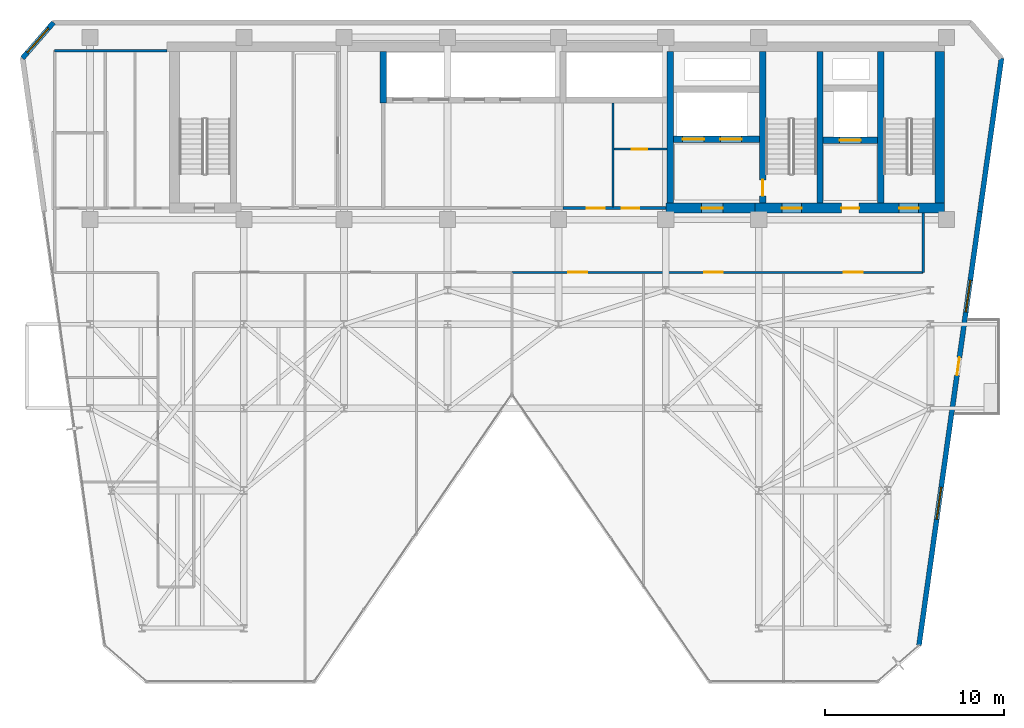
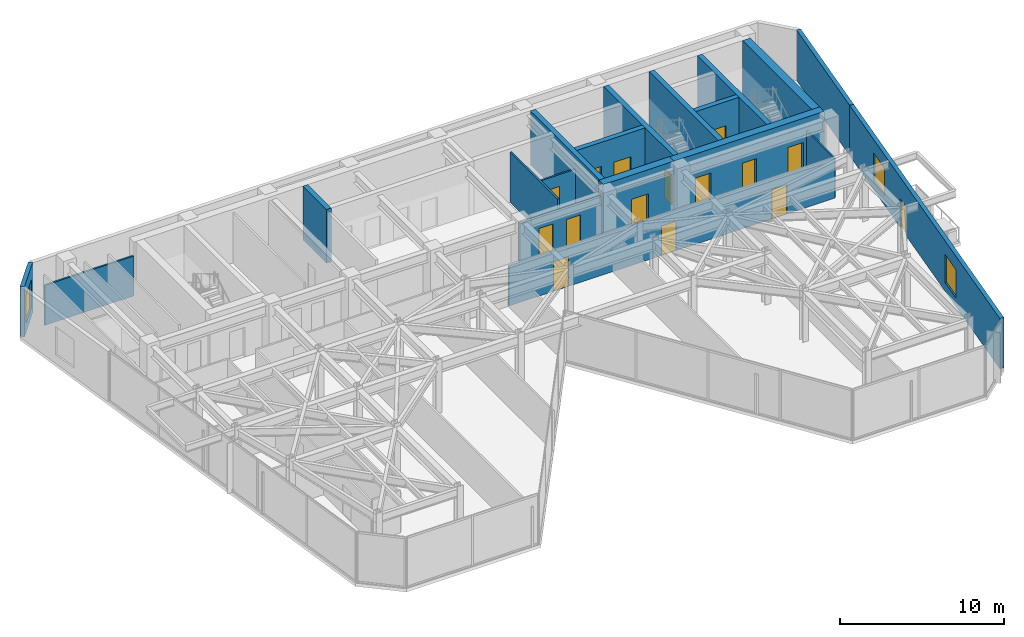
# One storey, part 23 of 27: 19 walls, 15 doors, 3 windows, 18 openings.
"""IFC4 building model written with IfcOpenShell, lengths in metres."""

import ifcopenshell
import ifcopenshell.guid

model = None  # the IFC model being written
_history = None  # IfcOwnerHistory: only IFC2X3 demands one
_inside = {}  # id of a spatial element -> (the spatial element, [elements in it])
_under = {}  # id of a project, library or spatial element -> (it, [spatial elements below it])
_declared = {}  # id of a project -> (the project, [libraries it declares])
_typed = {}  # id of a type object -> (the type object, [elements of that type])
_made_of = {}  # id of a material, layer set ... -> (it, [elements and type objects made of it])


def new_model(schema):
    """Start an empty IFC model of exactly this schema.

    Asked for "IFC4X3", IfcOpenShell would pick the latest addendum, in which some entities
    have other attributes; the version numbers below select the first issue.
    IFC2X3 requires an IfcOwnerHistory on every rooted entity: one is made here for all.
    """
    global model, _history
    if schema == "IFC4X3":
        model = ifcopenshell.file(schema_version=(4, 3, 0, 0))
    else:
        model = ifcopenshell.file(schema=schema)
    _inside.clear()
    _under.clear()
    _declared.clear()
    _typed.clear()
    _made_of.clear()
    _history = None
    if model.schema == "IFC2X3":
        org = make("IfcOrganization", Name="unknown")
        user = make(
            "IfcPersonAndOrganization",
            ThePerson=make("IfcPerson", FamilyName="unknown"),
            TheOrganization=org,
        )
        app = make(
            "IfcApplication",
            ApplicationDeveloper=org,
            Version="unknown",
            ApplicationFullName="unknown",
            ApplicationIdentifier="unknown",
        )
        _history = make(
            "IfcOwnerHistory",
            OwningUser=user,
            OwningApplication=app,
            ChangeAction="ADDED",
            CreationDate=0,
        )
    return model


def make(cls, **values):
    """One entity of the class cls with the attributes given. An attribute that is None is left unset."""
    return model.create_entity(
        cls, **{name: value for name, value in values.items() if value is not None}
    )


def rooted(cls, **values):
    """An entity with a GlobalId (a new one), such as an element, a storey or a relation."""
    return make(cls, GlobalId=ifcopenshell.guid.new(), OwnerHistory=_history, **values)


def si_unit(unit_type, name, prefix=None):
    """IfcSIUnit, for example si_unit("LENGTHUNIT", "METRE", prefix="MILLI")."""
    return make("IfcSIUnit", UnitType=unit_type, Prefix=prefix, Name=name)


def assignment(units):
    """IfcUnitAssignment: the units of a project."""
    return None if units is None else make("IfcUnitAssignment", Units=units)


def point(xyz):
    """IfcCartesianPoint."""
    return None if xyz is None else make("IfcCartesianPoint", Coordinates=xyz)


def direction(xyz):
    """IfcDirection."""
    return None if xyz is None else make("IfcDirection", DirectionRatios=xyz)


def frame(location, z_axis=None, x_axis=None):
    """IfcAxis2Placement3D, a coordinate frame: its origin and axes. An axis left out is left unset."""
    return make(
        "IfcAxis2Placement3D",
        Location=point(location),
        Axis=direction(z_axis),
        RefDirection=direction(x_axis),
    )


def frame_2d(location, x_axis=None):
    """IfcAxis2Placement2D, a coordinate frame in the plane: its origin and x axis."""
    return make(
        "IfcAxis2Placement2D", Location=point(location), RefDirection=direction(x_axis)
    )


def origin():
    """The frame at (0, 0, 0) with its axes left unset."""
    return frame((0.0, 0.0, 0.0))


def place(relative_to, where):
    """IfcLocalPlacement: puts the frame where relative to a parent placement (None: the world)."""
    return make(
        "IfcLocalPlacement", PlacementRelTo=relative_to, RelativePlacement=where
    )


def context(
    kind, dimensions, precision=None, world=None, true_north=None, identifier=None
):
    """IfcGeometricRepresentationContext, for example the 3D "Model" context."""
    return make(
        "IfcGeometricRepresentationContext",
        ContextIdentifier=identifier,
        ContextType=kind,
        CoordinateSpaceDimension=dimensions,
        Precision=precision,
        WorldCoordinateSystem=world,
        TrueNorth=true_north,
    )


def subcontext(parent, identifier, kind, view, scale=None):
    """IfcGeometricRepresentationSubContext, for example "Body" below "Model"."""
    return make(
        "IfcGeometricRepresentationSubContext",
        ContextIdentifier=identifier,
        ContextType=kind,
        ParentContext=parent,
        TargetScale=scale,
        TargetView=view,
    )


def project(units=None, contexts=None):
    """IfcProject with its units and contexts."""
    return rooted(
        "IfcProject",
        Name="project",
        RepresentationContexts=contexts,
        UnitsInContext=assignment(units),
    )


def spatial(cls, under=None, at=None, **own):
    """A site, building, storey or space (cls), placed at a placement, below another one or the project."""
    s = rooted(cls, ObjectPlacement=at, **own)
    if under is not None:
        _under.setdefault(under.id(), (under, []))[1].append(s)
    return s


def profile(cls, at=None, kind="AREA", **sizes):
    """A parametric profile (cls). Its sizes go by their IFC names, for example OverallWidth=200.0."""
    return make(cls, ProfileType=kind, Position=at, **sizes)


def rectangle(**sizes):
    """IfcRectangleProfileDef."""
    return profile("IfcRectangleProfileDef", **sizes)


def extrude(swept, where, along, depth):
    """IfcExtrudedAreaSolid: the profile swept, set in the frame where, extruded along a direction by depth."""
    return make(
        "IfcExtrudedAreaSolid",
        SweptArea=swept,
        Position=where,
        ExtrudedDirection=direction(along),
        Depth=depth,
    )


def shape(context_of_items, identifier, shape_type, items):
    """IfcShapeRepresentation: the items that make up one representation, for example the "Body"."""
    return make(
        "IfcShapeRepresentation",
        ContextOfItems=context_of_items,
        RepresentationIdentifier=identifier,
        RepresentationType=shape_type,
        Items=items,
    )


def material(Name=None, Category=None):
    """IfcMaterial."""
    return make("IfcMaterial", Name=Name, Category=Category)


def layer(
    of_material, thickness, ventilated=None, Name=None, Category=None, Priority=None
):
    """IfcMaterialLayer: one layer of a wall or slab, of a material (None: an air gap)."""
    return make(
        "IfcMaterialLayer",
        Material=of_material,
        LayerThickness=thickness,
        IsVentilated=ventilated,
        Name=Name,
        Category=Category,
        Priority=Priority,
    )


def layer_set(layers, Name=None):
    """IfcMaterialLayerSet."""
    return make("IfcMaterialLayerSet", MaterialLayers=layers, LayerSetName=Name)


def made_of(thing, what):
    """Note that an element or type object is made of a material, layer set ...; save() writes the relation."""
    if what is not None:
        _made_of.setdefault(what.id(), (what, []))[1].append(thing)
    return thing


def type_object(cls, material=None, **own):
    """A type object (cls), such as IfcWallType, which elements share."""
    return made_of(rooted(cls, **own), material)


def element(
    cls,
    number,
    at=None,
    inside=None,
    cuts=None,
    type_object=None,
    material=None,
    context=None,
    identifier="Body",
    shape_type=None,
    held_by="IfcProductDefinitionShape",
    body=None,
    shapes=None,
    **own,
):
    """One element of the class cls, such as IfcWall. Its Tag is "e" and its number.

    at: its placement. inside: the storey or other place that contains it. cuts: it is an
    opening in that element (IfcRelVoidsElement). A single representation is given by context,
    identifier, shape_type and body (its items); several are given by shapes. held_by: the class
    of the entity that holds the representations. save() writes the other relations.
    """
    e = rooted(cls, Tag="e%d" % number, ObjectPlacement=at, **own)
    if body is not None:
        shapes = [shape(context, identifier, shape_type, body)]
    if shapes is not None:
        e.Representation = make(held_by, Representations=shapes)
    if inside is not None:
        _inside.setdefault(inside.id(), (inside, []))[1].append(e)
    if cuts is not None:
        rooted(
            "IfcRelVoidsElement", RelatingBuildingElement=cuts, RelatedOpeningElement=e
        )
    if type_object is not None:
        _typed.setdefault(type_object.id(), (type_object, []))[1].append(e)
    return made_of(e, material)


def fill(opening, filler):
    """IfcRelFillsElement: the door or window that sits in an opening."""
    return rooted(
        "IfcRelFillsElement",
        RelatingOpeningElement=opening,
        RelatedBuildingElement=filler,
    )


def aggregate(whole, parts):
    """IfcRelAggregates: a whole, such as a stair, and the parts it consists of."""
    return rooted("IfcRelAggregates", RelatingObject=whole, RelatedObjects=parts)


def save(model, path):
    """Write the relations noted so far, then the file.

    IfcRelAggregates (storeys below a building ...), IfcRelContainedInSpatialStructure (elements
    in a storey), IfcRelDefinesByType, IfcRelAssociatesMaterial and IfcRelDeclares: one each for
    every whole, place, type object, material and project.
    """
    for whole, parts in _under.values():
        aggregate(whole, parts)
    for where, things in _inside.values():
        rooted(
            "IfcRelContainedInSpatialStructure",
            RelatedElements=things,
            RelatingStructure=where,
        )
    for kind, things in _typed.values():
        rooted("IfcRelDefinesByType", RelatedObjects=things, RelatingType=kind)
    for what, things in _made_of.values():
        rooted("IfcRelAssociatesMaterial", RelatedObjects=things, RelatingMaterial=what)
    for by, libraries in _declared.values():
        rooted("IfcRelDeclares", RelatingContext=by, RelatedDefinitions=libraries)
    model.write(path)


model = new_model("IFC4")

# Units and contexts
model_context = context("Model", 3, precision=1e-05, world=origin(), true_north=direction((0.0, 1.0)))
body_context = subcontext(model_context, "Body", "Model", "MODEL_VIEW")
ifc_project = project(units=[si_unit("LENGTHUNIT", "METRE"), si_unit("AREAUNIT", "SQUARE_METRE"), si_unit("VOLUMEUNIT", "CUBIC_METRE"), si_unit("PLANEANGLEUNIT", "RADIAN"), si_unit("MASSUNIT", "GRAM", prefix="KILO")], contexts=[model_context])

# Site, building, storey
site_placement = place(None, origin())
site = spatial("IfcSite", under=ifc_project, at=site_placement, CompositionType="ELEMENT")
building_placement = place(site_placement, origin())
building = spatial("IfcBuilding", under=site, at=building_placement, Name="Kravanh Interchange Tower", CompositionType="ELEMENT")
storey_placement = place(building_placement, frame((0.0, 0.0, 188.5)))
storey = spatial("IfcBuildingStorey", under=building, at=storey_placement, Name="L45", CompositionType="ELEMENT", Elevation=188.5)

# Wall
ifc_material_1 = material(Name="Double Acoustic Gypsum Board and Mineral Wool")
ifc_layer_1 = layer(ifc_material_1, 0.1201171875)
ifc_layer_set_1 = layer_set([ifc_layer_1], Name="Acoustic Office Drywall Partition 120mm")
wall_type_1 = type_object("IfcWallType", Name="Acoustic Office Drywall Partition 120mm", PredefinedType="PARTITIONING", material=ifc_layer_set_1)
wall_1_placement = place(storey_placement, frame((47.85009765625, 38.068115234375, 0.0), z_axis=(0.0, 0.0, 1.0), x_axis=(0.0, 1.0, 0.0)))
element("IfcWall", 1, at=wall_1_placement, inside=storey, type_object=wall_type_1, Name="L45 Interior Partition 2", PredefinedType="PARTITIONING", context=body_context, shape_type="SweptSolid", body=[
    extrude(rectangle(XDim=5.798828125, YDim=0.1201171875, at=frame_2d((2.8994140625, 0.0))), origin(), (0.0, 0.0, 1.0), 3.7548828125),
])

# Wall, opening, door
wall_2_placement = place(storey_placement, frame((47.91796875, 41.300048828125, 0.0), z_axis=(0.0, 0.0, 1.0), x_axis=(1.0, 0.0, 0.0)))
wall_2 = element("IfcWall", 2, at=wall_2_placement, inside=storey, type_object=wall_type_1, Name="L45 Interior Partition 3", PredefinedType="PARTITIONING", context=body_context, shape_type="SweptSolid", body=[
    extrude(rectangle(XDim=2.948974609375, YDim=0.1201171875, at=frame_2d((1.474609375, 0.0))), origin(), (0.0, 0.0, 1.0), 2.98193359375),
])
opening_1_placement = place(wall_2_placement, frame((0.9912109375, 0.0, 0.0)))
opening_1 = element("IfcOpeningElement", 3, at=opening_1_placement, cuts=wall_2, Name="Opening D-85", PredefinedType="OPENING", context=body_context, shape_type="SweptSolid", body=[
    extrude(rectangle(XDim=0.85009765625, YDim=2.10009765625, at=frame_2d((0.425048828125, 1.050048828125))), frame((0.0, 0.070068359375, 0.0), z_axis=(0.0, -1.0, 0.0), x_axis=(1.0, 0.0, 0.0)), (0.0, 0.0, 1.0), 0.14013671875),
])
ifc_material_2 = material(Name="Engineered Teak Veneer Timber", Category="wood")
door_type_1 = type_object("IfcDoorType", Name="En-Suite Timber Door 850x2100", OperationType="NOTDEFINED", PredefinedType="DOOR", material=ifc_material_2)
door_1_placement = place(opening_1_placement, origin())
door_1 = element("IfcDoor", 4, at=door_1_placement, inside=storey, type_object=door_type_1, Name="L45 Core Supply Inner Door", OperationType="SINGLE_SWING_RIGHT", OverallHeight=2.10009765625, OverallWidth=0.85009765625, PredefinedType="DOOR", context=body_context, shape_type="SweptSolid", body=[
    extrude(rectangle(XDim=0.85009765625, YDim=2.10009765625, at=frame_2d((0.425048828125, 1.050048828125))), frame((0.0, 0.02490234375, 0.0), z_axis=(0.0, -1.0, 0.0), x_axis=(1.0, 0.0, 0.0)), (0.0, 0.0, 1.0), 0.050048828125),
])
fill(opening_1, door_1)

# Wall
wall_3_placement = place(storey_placement, frame((16.6201171875, 46.800048828125, 0.0), z_axis=(0.0, 0.0, 1.0), x_axis=(1.0, 0.0, 0.0)))
element("IfcWall", 5, at=wall_3_placement, inside=storey, type_object=wall_type_1, Name="L45 Restroom North Enclosure 11", PredefinedType="PARTITIONING", context=body_context, shape_type="SweptSolid", body=[
    extrude(rectangle(XDim=6.27978515625, YDim=0.1201171875, at=frame_2d((3.139892578125, 0.0))), origin(), (0.0, 0.0, 1.0), 2.98193359375),
])

# Wall, openings, doors
wall_4_placement = place(storey_placement, frame((42.199951171875, 34.39990234375, 0.0), z_axis=(0.0, 0.0, 1.0), x_axis=(1.0, 0.0, 0.0)))
wall_4 = element("IfcWall", 6, at=wall_4_placement, inside=storey, type_object=wall_type_1, Name="L45 Interior Partition 17", PredefinedType="PARTITIONING", context=body_context, shape_type="SweptSolid", body=[
    extrude(rectangle(XDim=23.0, YDim=0.1201171875, at=frame_2d((11.5, 0.0))), origin(), (0.0, 0.0, 1.0), 2.98193359375),
])
opening_2_placement = place(wall_4_placement, frame((3.155029296875, 0.0, 0.0)))
opening_2 = element("IfcOpeningElement", 7, at=opening_2_placement, cuts=wall_4, Name="Opening D-105", PredefinedType="OPENING", context=body_context, shape_type="SweptSolid", body=[
    extrude(rectangle(XDim=1.050048828125, YDim=2.199951171875, at=frame_2d((0.52490234375, 1.10009765625))), frame((0.0, 0.070068359375, 0.0), z_axis=(0.0, -1.0, 0.0), x_axis=(1.0, 0.0, 0.0)), (0.0, 0.0, 1.0), 0.14013671875),
])
opening_3_placement = place(wall_4_placement, frame((10.7451171875, 0.0, 0.0)))
opening_3 = element("IfcOpeningElement", 8, at=opening_3_placement, cuts=wall_4, Name="Opening D-105", PredefinedType="OPENING", context=body_context, shape_type="SweptSolid", body=[
    extrude(rectangle(XDim=1.050048828125, YDim=2.199951171875, at=frame_2d((0.52490234375, 1.10009765625))), frame((0.0, 0.070068359375, 0.0), z_axis=(0.0, -1.0, 0.0), x_axis=(1.0, 0.0, 0.0)), (0.0, 0.0, 1.0), 0.14013671875),
])
opening_4_placement = place(wall_4_placement, frame((18.56494140625, 0.0, 0.0)))
opening_4 = element("IfcOpeningElement", 9, at=opening_4_placement, cuts=wall_4, Name="Opening D-105", PredefinedType="OPENING", context=body_context, shape_type="SweptSolid", body=[
    extrude(rectangle(XDim=1.050048828125, YDim=2.199951171875, at=frame_2d((0.52490234375, 1.10009765625))), frame((0.0, 0.070068359375, 0.0), z_axis=(0.0, -1.0, 0.0), x_axis=(1.0, 0.0, 0.0)), (0.0, 0.0, 1.0), 0.14013671875),
])
ifc_material_3 = material(Name="Acoustic Glazed Oak and Aluminium", Category="aluminium")
door_type_2 = type_object("IfcDoorType", Name="Office Workplace Door 1050x2200", OperationType="NOTDEFINED", PredefinedType="DOOR", material=ifc_material_3)
door_2_placement = place(opening_2_placement, origin())
door_2 = element("IfcDoor", 10, at=door_2_placement, inside=storey, type_object=door_type_2, Name="L45 Meeting Room 11C Door", OperationType="SINGLE_SWING_LEFT", OverallHeight=2.199951171875, OverallWidth=1.050048828125, PredefinedType="DOOR", context=body_context, shape_type="SweptSolid", body=[
    extrude(rectangle(XDim=1.050048828125, YDim=2.199951171875, at=frame_2d((0.52490234375, 1.10009765625))), frame((0.0, 0.02490234375, 0.0), z_axis=(0.0, -1.0, 0.0), x_axis=(1.0, 0.0, 0.0)), (0.0, 0.0, 1.0), 0.050048828125),
])
fill(opening_2, door_2)
door_3_placement = place(opening_3_placement, origin())
door_3 = element("IfcDoor", 11, at=door_3_placement, inside=storey, type_object=door_type_2, Name="L45 Meeting Room 11D Door", OperationType="SINGLE_SWING_RIGHT", OverallHeight=2.199951171875, OverallWidth=1.050048828125, PredefinedType="DOOR", context=body_context, shape_type="SweptSolid", body=[
    extrude(rectangle(XDim=1.050048828125, YDim=2.199951171875, at=frame_2d((0.52490234375, 1.10009765625))), frame((0.0, 0.02490234375, 0.0), z_axis=(0.0, -1.0, 0.0), x_axis=(1.0, 0.0, 0.0)), (0.0, 0.0, 1.0), 0.050048828125),
])
fill(opening_3, door_3)
door_4_placement = place(opening_4_placement, origin())
door_4 = element("IfcDoor", 12, at=door_4_placement, inside=storey, type_object=door_type_2, Name="L45 East Balcony Office 11A Door", OperationType="SINGLE_SWING_LEFT", OverallHeight=2.199951171875, OverallWidth=1.050048828125, PredefinedType="DOOR", context=body_context, shape_type="SweptSolid", body=[
    extrude(rectangle(XDim=1.050048828125, YDim=2.199951171875, at=frame_2d((0.52490234375, 1.10009765625))), frame((0.0, 0.02490234375, 0.0), z_axis=(0.0, -1.0, 0.0), x_axis=(1.0, 0.0, 0.0)), (0.0, 0.0, 1.0), 0.050048828125),
])
fill(opening_4, door_4)

# Walls
wall_5_placement = place(storey_placement, frame((65.199951171875, 34.39990234375, 0.0), z_axis=(0.0, 0.0, 1.0), x_axis=(0.0, 1.0, 0.0)))
element("IfcWall", 13, at=wall_5_placement, inside=storey, type_object=wall_type_1, Name="L45 Interior Partition 19", PredefinedType="PARTITIONING", context=body_context, shape_type="SweptSolid", body=[
    extrude(rectangle(XDim=3.317138671875, YDim=0.1201171875, at=frame_2d((1.65869140625, 0.0))), origin(), (0.0, 0.0, 1.0), 2.98193359375),
])
ifc_material_4 = material(Name="Concrete C60/75", Category="concrete")
ifc_layer_2 = layer(ifc_material_4, 0.35009765625)
ifc_layer_set_2 = layer_set([ifc_layer_2], Name="Core Shear Wall Concrete C60/75 350mm")
wall_type_2 = type_object("IfcWallType", Name="Core Shear Wall Concrete C60/75 350mm", PredefinedType="SHEAR", material=ifc_layer_set_2)
for number, where, z_axis, x_axis, name in (
    (14, (62.824951171875, 38.27490234375, 0.0), (0.0, 0.0, 1.0), (0.0, 1.0, 0.0), "L45 Stair ST1 West Shear Wall"),
    (15, (59.425048828125, 38.27490234375, 0.0), (0.0, 0.0, 1.0), (0.0, 1.0, 0.0), "L45 Stair ST2 East Shear Wall"),
):
    element("IfcWall", number, at=place(storey_placement, frame(where, z_axis=z_axis, x_axis=x_axis)), inside=storey, type_object=wall_type_2, Name=name, PredefinedType="SHEAR", context=body_context, shape_type="SweptSolid", body=[
        extrude(rectangle(XDim=8.47509765625, YDim=0.35009765625, at=frame_2d((4.237548828125, 0.0))), origin(), (0.0, 0.0, 1.0), 4.0),
    ])

# Wall, opening, door
wall_6_placement = place(storey_placement, frame((56.22509765625, 38.27490234375, 0.0), z_axis=(0.0, 0.0, 1.0), x_axis=(0.0, 1.0, 0.0)))
wall_6 = element("IfcWall", 16, at=wall_6_placement, inside=storey, type_object=wall_type_2, Name="L45 Stair ST2 West Shear Wall", PredefinedType="SHEAR", context=body_context, shape_type="SweptSolid", body=[
    extrude(rectangle(XDim=8.47509765625, YDim=0.35009765625, at=frame_2d((4.237548828125, 0.0))), origin(), (0.0, 0.0, 1.0), 4.0),
])
opening_5_placement = place(wall_6_placement, frame((0.405029296875, 0.0, 0.0)))
opening_5 = element("IfcOpeningElement", 17, at=opening_5_placement, cuts=wall_6, Name="Opening D-STAIR-90", PredefinedType="OPENING", context=body_context, shape_type="SweptSolid", body=[
    extrude(rectangle(XDim=0.89990234375, YDim=2.14990234375, at=frame_2d((0.449951171875, 1.074951171875))), frame((0.0, 0.18505859375, 0.0), z_axis=(0.0, -1.0, 0.0), x_axis=(1.0, 0.0, 0.0)), (0.0, 0.0, 1.0), 0.3701171875),
])
ifc_material_5 = material(Name="Structural Steel S355", Category="steel")
door_type_3 = type_object("IfcDoorType", Name="Fire-Rated Stair Lobby Door 900x2150", OperationType="NOTDEFINED", PredefinedType="DOOR", material=ifc_material_5)
door_5_placement = place(opening_5_placement, origin())
door_5 = element("IfcDoor", 18, at=door_5_placement, inside=storey, type_object=door_type_3, Name="L45 Firefighting Lobby to Stair ST2 Door", OperationType="SINGLE_SWING_LEFT", OverallHeight=2.14990234375, OverallWidth=0.89990234375, PredefinedType="DOOR", context=body_context, shape_type="SweptSolid", body=[
    extrude(rectangle(XDim=0.89990234375, YDim=2.14990234375, at=frame_2d((0.449951171875, 1.074951171875))), frame((0.0, 0.02490234375, 0.0), z_axis=(0.0, -1.0, 0.0), x_axis=(1.0, 0.0, 0.0)), (0.0, 0.0, 1.0), 0.050048828125),
])
fill(opening_5, door_5)

wall_7_placement = place(storey_placement, frame((59.60009765625, 41.800048828125, 0.0), z_axis=(0.0, 0.0, 1.0), x_axis=(1.0, 0.0, 0.0)))
wall_7 = element("IfcWall", 19, at=wall_7_placement, inside=storey, type_object=wall_type_2, Name="L45 Service Lift Shaft South Wall", PredefinedType="SHEAR", context=body_context, shape_type="SweptSolid", body=[
    extrude(rectangle(XDim=3.0498046875, YDim=0.35009765625, at=frame_2d((1.52490234375, 0.0))), origin(), (0.0, 0.0, 1.0), 4.0),
])
opening_6_placement = place(wall_7_placement, frame((0.919921875, 0.0, 0.0)))
opening_6 = element("IfcOpeningElement", 20, at=opening_6_placement, cuts=wall_7, Name="Opening LD02", PredefinedType="OPENING", context=body_context, shape_type="SweptSolid", body=[
    extrude(rectangle(XDim=1.199951171875, YDim=2.199951171875, at=frame_2d((0.60009765625, 1.10009765625))), frame((0.0, 0.18505859375, 0.0), z_axis=(0.0, -1.0, 0.0), x_axis=(1.0, 0.0, 0.0)), (0.0, 0.0, 1.0), 0.3701171875),
])
ifc_material_6 = material(Name="Stainless Steel 316", Category="steel")
door_type_4 = type_object("IfcDoorType", Name="Fire and Service Lift Sliding Landing Door 1200x2200", OperationType="DOUBLE_DOOR_SLIDING", PredefinedType="DOOR", material=ifc_material_6)
door_6_placement = place(opening_6_placement, origin())
door_6 = element("IfcDoor", 21, at=door_6_placement, inside=storey, type_object=door_type_4, Name="L45 Lift LS-01 Landing Door", OperationType="DOUBLE_DOOR_SLIDING", OverallHeight=2.199951171875, OverallWidth=1.199951171875, PredefinedType="DOOR", context=body_context, shape_type="SweptSolid", body=[
    extrude(rectangle(XDim=1.199951171875, YDim=2.199951171875, at=frame_2d((0.60009765625, 1.10009765625))), frame((0.0, 0.02490234375, 0.0), z_axis=(0.0, -1.0, 0.0), x_axis=(1.0, 0.0, 0.0)), (0.0, 0.0, 1.0), 0.050048828125),
])
fill(opening_6, door_6)

# Wall, openings, doors
wall_8_placement = place(storey_placement, frame((51.22509765625, 41.85009765625, 0.0), z_axis=(0.0, 0.0, 1.0), x_axis=(1.0, 0.0, 0.0)))
wall_8 = element("IfcWall", 22, at=wall_8_placement, inside=storey, type_object=wall_type_2, Name="L45 Fire Lift Shaft South Wall", PredefinedType="SHEAR", context=body_context, shape_type="SweptSolid", body=[
    extrude(rectangle(XDim=4.824951171875, YDim=0.35009765625, at=frame_2d((2.41259765625, 0.0))), origin(), (0.0, 0.0, 1.0), 4.0),
])
opening_7_placement = place(wall_8_placement, frame((0.52490234375, 0.0, 0.0)))
opening_7 = element("IfcOpeningElement", 23, at=opening_7_placement, cuts=wall_8, Name="Opening LD02", PredefinedType="OPENING", context=body_context, shape_type="SweptSolid", body=[
    extrude(rectangle(XDim=1.199951171875, YDim=2.199951171875, at=frame_2d((0.60009765625, 1.10009765625))), frame((0.0, 0.18505859375, 0.0), z_axis=(0.0, -1.0, 0.0), x_axis=(1.0, 0.0, 0.0)), (0.0, 0.0, 1.0), 0.3701171875),
])
opening_8_placement = place(wall_8_placement, frame((2.625, 0.0, 0.0)))
opening_8 = element("IfcOpeningElement", 24, at=opening_8_placement, cuts=wall_8, Name="Opening LD02", PredefinedType="OPENING", context=body_context, shape_type="SweptSolid", body=[
    extrude(rectangle(XDim=1.199951171875, YDim=2.199951171875, at=frame_2d((0.60009765625, 1.10009765625))), frame((0.0, 0.18505859375, 0.0), z_axis=(0.0, -1.0, 0.0), x_axis=(1.0, 0.0, 0.0)), (0.0, 0.0, 1.0), 0.3701171875),
])
door_7_placement = place(opening_7_placement, origin())
door_7 = element("IfcDoor", 25, at=door_7_placement, inside=storey, type_object=door_type_4, Name="L45 Lift FSAE-01 Landing Door", OperationType="DOUBLE_DOOR_SLIDING", OverallHeight=2.199951171875, OverallWidth=1.199951171875, PredefinedType="DOOR", context=body_context, shape_type="SweptSolid", body=[
    extrude(rectangle(XDim=1.199951171875, YDim=2.199951171875, at=frame_2d((0.60009765625, 1.10009765625))), frame((0.0, 0.02490234375, 0.0), z_axis=(0.0, -1.0, 0.0), x_axis=(1.0, 0.0, 0.0)), (0.0, 0.0, 1.0), 0.050048828125),
])
fill(opening_7, door_7)
door_8_placement = place(opening_8_placement, origin())
door_8 = element("IfcDoor", 26, at=door_8_placement, inside=storey, type_object=door_type_4, Name="L45 Lift FSAE-02 Landing Door", OperationType="DOUBLE_DOOR_SLIDING", OverallHeight=2.199951171875, OverallWidth=1.199951171875, PredefinedType="DOOR", context=body_context, shape_type="SweptSolid", body=[
    extrude(rectangle(XDim=1.199951171875, YDim=2.199951171875, at=frame_2d((0.60009765625, 1.10009765625))), frame((0.0, 0.02490234375, 0.0), z_axis=(0.0, -1.0, 0.0), x_axis=(1.0, 0.0, 0.0)), (0.0, 0.0, 1.0), 0.050048828125),
])
fill(opening_8, door_8)

# Walls
wall_9_placement = place(storey_placement, frame((51.050048828125, 38.27490234375, 0.0), z_axis=(0.0, 0.0, 1.0), x_axis=(0.0, 1.0, 0.0)))
element("IfcWall", 27, at=wall_9_placement, inside=storey, type_object=wall_type_2, Name="L45 Firefighting Lobby West Wall", PredefinedType="SHEAR", context=body_context, shape_type="SweptSolid", body=[
    extrude(rectangle(XDim=8.47509765625, YDim=0.35009765625, at=frame_2d((4.237548828125, 0.0))), origin(), (0.0, 0.0, 1.0), 4.0),
])
wall_10_placement = place(storey_placement, frame((35.0, 43.875, 0.0), z_axis=(0.0, 0.0, 1.0), x_axis=(0.0, 1.0, 0.0)))
element("IfcWall", 28, at=wall_10_placement, inside=storey, type_object=wall_type_2, Name="L45 Mid-Rise Lift Shaft West Wall", PredefinedType="SHEAR", context=body_context, shape_type="SweptSolid", body=[
    extrude(rectangle(XDim=2.875, YDim=0.35009765625, at=frame_2d((1.4375, 0.0))), origin(), (0.0, 0.0, 1.0), 4.0),
])

# Wall, openings, doors
ifc_material_7 = material(Name="Concrete C70/85", Category="concrete")
ifc_layer_3 = layer(ifc_material_7, 0.550048828125)
ifc_layer_set_3 = layer_set([ifc_layer_3], Name="Core Shear Wall Concrete C70/85 550mm")
wall_type_3 = type_object("IfcWallType", Name="Core Shear Wall Concrete C70/85 550mm", PredefinedType="SHEAR", material=ifc_layer_set_3)
wall_11_placement = place(storey_placement, frame((55.800048828125, 38.0, 0.0), z_axis=(0.0, 0.0, 1.0), x_axis=(1.0, 0.0, 0.0)))
wall_11 = element("IfcWall", 29, at=wall_11_placement, inside=storey, type_object=wall_type_3, Name="L45 East Core South Shear Wall", PredefinedType="SHEAR", context=body_context, shape_type="SweptSolid", body=[
    extrude(rectangle(XDim=10.599853515625, YDim=0.550048828125, at=frame_2d((5.2998046875, 0.0))), origin(), (0.0, 0.0, 1.0), 4.0),
])
opening_9_placement = place(wall_11_placement, frame((1.5, 0.0, 0.0)))
opening_9 = element("IfcOpeningElement", 30, at=opening_9_placement, cuts=wall_11, Name="Opening D-STAIR-110", PredefinedType="OPENING", context=body_context, shape_type="SweptSolid", body=[
    extrude(rectangle(XDim=1.10009765625, YDim=2.199951171875, at=frame_2d((0.550048828125, 1.10009765625))), frame((0.0, 0.28515625, 0.0), z_axis=(0.0, -1.0, 0.0), x_axis=(1.0, 0.0, 0.0)), (0.0, 0.0, 1.0), 0.570068359375),
])
opening_10_placement = place(wall_11_placement, frame((4.820068359375, 0.0, 0.0)))
opening_10 = element("IfcOpeningElement", 31, at=opening_10_placement, cuts=wall_11, Name="Opening D-HOTEL-100", PredefinedType="OPENING", context=body_context, shape_type="SweptSolid", body=[
    extrude(rectangle(XDim=1.0, YDim=2.14990234375, at=frame_2d((0.5, 1.074951171875))), frame((0.0, 0.28515625, 0.0), z_axis=(0.0, -1.0, 0.0), x_axis=(1.0, 0.0, 0.0)), (0.0, 0.0, 1.0), 0.570068359375),
])
opening_11_placement = place(wall_11_placement, frame((8.050048828125, 0.0, 0.0)))
opening_11 = element("IfcOpeningElement", 32, at=opening_11_placement, cuts=wall_11, Name="Opening D-STAIR-110", PredefinedType="OPENING", context=body_context, shape_type="SweptSolid", body=[
    extrude(rectangle(XDim=1.10009765625, YDim=2.199951171875, at=frame_2d((0.550048828125, 1.10009765625))), frame((0.0, 0.28515625, 0.0), z_axis=(0.0, -1.0, 0.0), x_axis=(1.0, 0.0, 0.0)), (0.0, 0.0, 1.0), 0.570068359375),
])
ifc_material_8 = material(Name="Structural Steel S355", Category="steel")
door_type_5 = type_object("IfcDoorType", Name="Fire-Rated Exit Stair Door 1100x2200", OperationType="NOTDEFINED", PredefinedType="DOOR", material=ifc_material_8)
door_9_placement = place(opening_9_placement, origin())
door_9 = element("IfcDoor", 33, at=door_9_placement, inside=storey, type_object=door_type_5, Name="L45 Exit Stair ST2 Door", OperationType="SINGLE_SWING_RIGHT", OverallHeight=2.199951171875, OverallWidth=1.10009765625, PredefinedType="DOOR", context=body_context, shape_type="SweptSolid", body=[
    extrude(rectangle(XDim=1.10009765625, YDim=2.199951171875, at=frame_2d((0.550048828125, 1.10009765625))), frame((0.0, 0.02490234375, 0.0), z_axis=(0.0, -1.0, 0.0), x_axis=(1.0, 0.0, 0.0)), (0.0, 0.0, 1.0), 0.050048828125),
])
fill(opening_9, door_9)
door_10_placement = place(opening_11_placement, origin())
door_10 = element("IfcDoor", 34, at=door_10_placement, inside=storey, type_object=door_type_5, Name="L45 Exit Stair ST1 Door", OperationType="SINGLE_SWING_RIGHT", OverallHeight=2.199951171875, OverallWidth=1.10009765625, PredefinedType="DOOR", context=body_context, shape_type="SweptSolid", body=[
    extrude(rectangle(XDim=1.10009765625, YDim=2.199951171875, at=frame_2d((0.550048828125, 1.10009765625))), frame((0.0, 0.02490234375, 0.0), z_axis=(0.0, -1.0, 0.0), x_axis=(1.0, 0.0, 0.0)), (0.0, 0.0, 1.0), 0.050048828125),
])
fill(opening_11, door_10)
ifc_material_9 = material(Name="Fire-Rated Solid Timber Leaf", Category="wood")
door_type_6 = type_object("IfcDoorType", Name="Fire-Rated Suite Entrance Door 1000x2150", OperationType="NOTDEFINED", PredefinedType="DOOR", material=ifc_material_9)
door_11_placement = place(opening_10_placement, origin())
door_11 = element("IfcDoor", 35, at=door_11_placement, inside=storey, type_object=door_type_6, Name="L45 Service Lift Lobby Door", OperationType="SINGLE_SWING_RIGHT", OverallHeight=2.14990234375, OverallWidth=1.0, PredefinedType="DOOR", context=body_context, shape_type="SweptSolid", body=[
    extrude(rectangle(XDim=1.0, YDim=2.14990234375, at=frame_2d((0.5, 1.074951171875))), frame((0.0, 0.02490234375, 0.0), z_axis=(0.0, -1.0, 0.0), x_axis=(1.0, 0.0, 0.0)), (0.0, 0.0, 1.0), 0.050048828125),
])
fill(opening_10, door_11)

# Wall
wall_12_placement = place(storey_placement, frame((66.125, 38.27490234375, 0.0), z_axis=(0.0, 0.0, 1.0), x_axis=(0.0, 1.0, 0.0)))
element("IfcWall", 36, at=wall_12_placement, inside=storey, type_object=wall_type_3, Name="L45 Stair ST1 East Shear Wall", PredefinedType="SHEAR", context=body_context, shape_type="SweptSolid", body=[
    extrude(rectangle(XDim=8.47509765625, YDim=0.550048828125, at=frame_2d((4.237548828125, 0.0))), origin(), (0.0, 0.0, 1.0), 4.0),
])

# Wall, opening, door
wall_13_placement = place(storey_placement, frame((50.800048828125, 38.0, 0.0), z_axis=(0.0, 0.0, 1.0), x_axis=(1.0, 0.0, 0.0)))
wall_13 = element("IfcWall", 37, at=wall_13_placement, inside=storey, type_object=wall_type_3, Name="L45 Firefighting Lobby South Shear Wall", PredefinedType="SHEAR", context=body_context, shape_type="SweptSolid", body=[
    extrude(rectangle(XDim=5.0, YDim=0.550048828125, at=frame_2d((2.5, 0.0))), origin(), (0.0, 0.0, 1.0), 4.0),
])
opening_12_placement = place(wall_13_placement, frame((2.0, 0.0, 0.0)))
opening_12 = element("IfcOpeningElement", 38, at=opening_12_placement, cuts=wall_13, Name="Opening D-FSAE-120", PredefinedType="OPENING", context=body_context, shape_type="SweptSolid", body=[
    extrude(rectangle(XDim=1.199951171875, YDim=2.199951171875, at=frame_2d((0.60009765625, 1.10009765625))), frame((0.0, 0.28515625, 0.0), z_axis=(0.0, -1.0, 0.0), x_axis=(1.0, 0.0, 0.0)), (0.0, 0.0, 1.0), 0.570068359375),
])
ifc_material_10 = material(Name="Structural Steel S355", Category="steel")
door_type_7 = type_object("IfcDoorType", Name="Fire-Rated Refuge and FSAE Door 1200x2200", OperationType="NOTDEFINED", PredefinedType="DOOR", material=ifc_material_10)
door_12_placement = place(opening_12_placement, origin())
door_12 = element("IfcDoor", 39, at=door_12_placement, inside=storey, type_object=door_type_7, Name="L45 Firefighting Lobby Corridor Door", OperationType="SINGLE_SWING_RIGHT", OverallHeight=2.199951171875, OverallWidth=1.199951171875, PredefinedType="DOOR", context=body_context, shape_type="SweptSolid", body=[
    extrude(rectangle(XDim=1.199951171875, YDim=2.199951171875, at=frame_2d((0.60009765625, 1.10009765625))), frame((0.0, 0.02490234375, 0.0), z_axis=(0.0, -1.0, 0.0), x_axis=(1.0, 0.0, 0.0)), (0.0, 0.0, 1.0), 0.050048828125),
])
fill(opening_12, door_12)

# Wall, opening, window
ifc_material_11 = material(Name="Insulated Precast Concrete C40/50 with Bronze Cladding", Category="concrete")
ifc_layer_4 = layer(ifc_material_11, 0.280029296875)
ifc_layer_set_4 = layer_set([ifc_layer_4], Name="Exterior Insulated Concrete C40/50 Bronze Spandrel Wall 280mm")
wall_type_4 = type_object("IfcWallType", Name="Exterior Insulated Concrete C40/50 Bronze Spandrel Wall 280mm", PredefinedType="STANDARD", material=ifc_layer_set_4)
wall_14_placement = place(storey_placement, frame((14.818603515625, 46.3828125, 0.0), z_axis=(0.0, 0.0, 1.0), x_axis=(0.656071351282, 0.754698868442, 0.0)))
wall_14 = element("IfcWall", 40, at=wall_14_placement, inside=storey, type_object=wall_type_4, Name="L45 Exterior Wall 2", PredefinedType="STANDARD", context=body_context, shape_type="SweptSolid", body=[
    extrude(rectangle(XDim=2.646240234375, YDim=0.280029296875, at=frame_2d((1.3232421875, 0.0))), origin(), (0.0, 0.0, 1.0), 3.7548828125),
])
opening_13_placement = place(wall_14_placement, frame((0.41552734375, 0.0, 0.64990234375)))
opening_13 = element("IfcOpeningElement", 41, at=opening_13_placement, cuts=wall_14, Name="Opening WN-180X210", PredefinedType="OPENING", context=body_context, shape_type="SweptSolid", body=[
    extrude(rectangle(XDim=1.800048828125, YDim=2.10009765625, at=frame_2d((0.89990234375, 1.050048828125))), frame((0.0, 0.14990234375, 0.0), z_axis=(0.0, -1.0, 0.0), x_axis=(1.0, 0.0, 0.0)), (0.0, 0.0, 1.0), 0.300048828125),
])
ifc_material_12 = material(Name="Thermally Broken Bronze Aluminium and Low-E Glass", Category="aluminium")
window_type = type_object("IfcWindowType", Name="Tower Pier Window 1800x2100", PartitioningType="SINGLE_PANEL", PredefinedType="WINDOW", material=ifc_material_12)
window_1_placement = place(opening_13_placement, origin())
window_1 = element("IfcWindow", 42, at=window_1_placement, inside=storey, type_object=window_type, Name="L45 Corner Window 2", OverallHeight=2.10009765625, OverallWidth=1.800048828125, PartitioningType="SINGLE_PANEL", PredefinedType="WINDOW", context=body_context, shape_type="SweptSolid", body=[
    extrude(rectangle(XDim=1.800048828125, YDim=2.10009765625, at=frame_2d((0.89990234375, 1.050048828125))), frame((0.0, 0.030029296875, 0.0), z_axis=(0.0, -1.0, 0.0), x_axis=(1.0, 0.0, 0.0)), (0.0, 0.0, 1.0), 0.06005859375),
])
fill(opening_13, window_1)

# Wall
wall_15_placement = place(storey_placement, frame((69.581298828125, 46.3828125, 0.0), z_axis=(0.0, 0.0, 1.0), x_axis=(-0.13918102754, -0.990266954701, 0.0)))
element("IfcWall", 43, at=wall_15_placement, inside=storey, type_object=wall_type_4, Name="L45 Exterior Wall 5", PredefinedType="STANDARD", context=body_context, shape_type="SweptSolid", body=[
    extrude(rectangle(XDim=8.667236328125, YDim=0.280029296875, at=frame_2d((4.33349609375, 0.0))), origin(), (0.0, 0.0, 1.0), 3.7548828125),
])

# Wall, openings, door, windows
wall_16_placement = place(storey_placement, frame((68.375, 37.800048828125, 0.0), z_axis=(0.0, 0.0, 1.0), x_axis=(-0.139173290738, -0.99026804207, 0.0)))
wall_16 = element("IfcWall", 44, at=wall_16_placement, inside=storey, type_object=wall_type_4, Name="L45 Exterior Wall 6", PredefinedType="STANDARD", context=body_context, shape_type="SweptSolid", body=[
    extrude(rectangle(XDim=24.497802734375, YDim=0.280029296875, at=frame_2d((12.2490234375, 0.0))), origin(), (0.0, 0.0, 1.0), 3.7548828125),
])
opening_14_placement = place(wall_16_placement, frame((8.23828125, 0.0, 0.0)))
opening_14 = element("IfcOpeningElement", 45, at=opening_14_placement, cuts=wall_16, Name="Opening ED-BAL100", PredefinedType="OPENING", context=body_context, shape_type="SweptSolid", body=[
    extrude(rectangle(XDim=1.0, YDim=2.14990234375, at=frame_2d((0.5, 1.074951171875))), frame((0.0, 0.14990234375, 0.0), z_axis=(0.0, -1.0, 0.0), x_axis=(1.0, 0.0, 0.0)), (0.0, 0.0, 1.0), 0.300048828125),
])
opening_15_placement = place(wall_16_placement, frame((3.869140625, 0.0, 0.64990234375)))
opening_15 = element("IfcOpeningElement", 46, at=opening_15_placement, cuts=wall_16, Name="Opening WN-180X210", PredefinedType="OPENING", context=body_context, shape_type="SweptSolid", body=[
    extrude(rectangle(XDim=1.800048828125, YDim=2.10009765625, at=frame_2d((0.89990234375, 1.050048828125))), frame((0.0, 0.14990234375, 0.0), z_axis=(0.0, -1.0, 0.0), x_axis=(1.0, 0.0, 0.0)), (0.0, 0.0, 1.0), 0.300048828125),
])
opening_16_placement = place(wall_16_placement, frame((15.5712890625, 0.0, 0.64990234375)))
opening_16 = element("IfcOpeningElement", 47, at=opening_16_placement, cuts=wall_16, Name="Opening WN-180X210", PredefinedType="OPENING", context=body_context, shape_type="SweptSolid", body=[
    extrude(rectangle(XDim=1.800048828125, YDim=2.10009765625, at=frame_2d((0.89990234375, 1.050048828125))), frame((0.0, 0.14990234375, 0.0), z_axis=(0.0, -1.0, 0.0), x_axis=(1.0, 0.0, 0.0)), (0.0, 0.0, 1.0), 0.300048828125),
])
ifc_material_13 = material(Name="Thermally Broken Bronze Aluminium and Laminated Glass", Category="aluminium")
door_type_8 = type_object("IfcDoorType", Name="Balcony Glazed Door 1000x2150", OperationType="NOTDEFINED", PredefinedType="DOOR", material=ifc_material_13)
door_13_placement = place(opening_14_placement, origin())
door_13 = element("IfcDoor", 48, at=door_13_placement, inside=storey, type_object=door_type_8, Name="L45 E Tree Balcony Access Door", OperationType="SINGLE_SWING_RIGHT", OverallHeight=2.14990234375, OverallWidth=1.0, PredefinedType="DOOR", context=body_context, shape_type="SweptSolid", body=[
    extrude(rectangle(XDim=1.0, YDim=2.14990234375, at=frame_2d((0.5, 1.074951171875))), frame((0.0, 0.02490234375, 0.0), z_axis=(0.0, -1.0, 0.0), x_axis=(1.0, 0.0, 0.0)), (0.0, 0.0, 1.0), 0.050048828125),
])
fill(opening_14, door_13)
window_2_placement = place(opening_15_placement, origin())
window_2 = element("IfcWindow", 49, at=window_2_placement, inside=storey, type_object=window_type, Name="L45 Facade Window 6A", OverallHeight=2.10009765625, OverallWidth=1.800048828125, PartitioningType="SINGLE_PANEL", PredefinedType="WINDOW", context=body_context, shape_type="SweptSolid", body=[
    extrude(rectangle(XDim=1.800048828125, YDim=2.10009765625, at=frame_2d((0.89990234375, 1.050048828125))), frame((0.0, 0.030029296875, 0.0), z_axis=(0.0, -1.0, 0.0), x_axis=(1.0, 0.0, 0.0)), (0.0, 0.0, 1.0), 0.06005859375),
])
fill(opening_15, window_2)
window_3_placement = place(opening_16_placement, origin())
window_3 = element("IfcWindow", 50, at=window_3_placement, inside=storey, type_object=window_type, Name="L45 Facade Window 6B", OverallHeight=2.10009765625, OverallWidth=1.800048828125, PartitioningType="SINGLE_PANEL", PredefinedType="WINDOW", context=body_context, shape_type="SweptSolid", body=[
    extrude(rectangle(XDim=1.800048828125, YDim=2.10009765625, at=frame_2d((0.89990234375, 1.050048828125))), frame((0.0, 0.030029296875, 0.0), z_axis=(0.0, -1.0, 0.0), x_axis=(1.0, 0.0, 0.0)), (0.0, 0.0, 1.0), 0.06005859375),
])
fill(opening_16, window_3)

# Wall, openings, doors
ifc_material_14 = material(Name="Autoclaved Aerated Concrete C30/37 Blockwork", Category="masonry")
ifc_layer_5 = layer(ifc_material_14, 0.179931640625)
ifc_layer_set_5 = layer_set([ifc_layer_5], Name="Fire-Rated Lobby and Corridor Wall Concrete C30/37 180mm")
wall_type_5 = type_object("IfcWallType", Name="Fire-Rated Lobby and Corridor Wall Concrete C30/37 180mm", PredefinedType="STANDARD", material=ifc_layer_set_5)
wall_17_placement = place(storey_placement, frame((45.050048828125, 38.0, 0.0), z_axis=(0.0, 0.0, 1.0), x_axis=(1.0, 0.0, 0.0)))
wall_17 = element("IfcWall", 51, at=wall_17_placement, inside=storey, type_object=wall_type_5, Name="L45 Core South Enclosure 1", PredefinedType="STANDARD", context=body_context, shape_type="SweptSolid", body=[
    extrude(rectangle(XDim=5.75, YDim=0.179931640625, at=frame_2d((2.875, 0.0))), origin(), (0.0, 0.0, 1.0), 2.98193359375),
])
opening_17_placement = place(wall_17_placement, frame((1.324951171875, 0.0, 0.0)))
opening_17 = element("IfcOpeningElement", 52, at=opening_17_placement, cuts=wall_17, Name="Opening D-HOTEL-100", PredefinedType="OPENING", context=body_context, shape_type="SweptSolid", body=[
    extrude(rectangle(XDim=1.0, YDim=2.14990234375, at=frame_2d((0.5, 1.074951171875))), frame((0.0, 0.10009765625, 0.0), z_axis=(0.0, -1.0, 0.0), x_axis=(1.0, 0.0, 0.0)), (0.0, 0.0, 1.0), 0.199951171875),
])
opening_18_placement = place(wall_17_placement, frame((3.27490234375, 0.0, 0.0)))
opening_18 = element("IfcOpeningElement", 53, at=opening_18_placement, cuts=wall_17, Name="Opening D-HOTEL-100", PredefinedType="OPENING", context=body_context, shape_type="SweptSolid", body=[
    extrude(rectangle(XDim=1.0, YDim=2.14990234375, at=frame_2d((0.5, 1.074951171875))), frame((0.0, 0.10009765625, 0.0), z_axis=(0.0, -1.0, 0.0), x_axis=(1.0, 0.0, 0.0)), (0.0, 0.0, 1.0), 0.199951171875),
])
door_14_placement = place(opening_17_placement, origin())
door_14 = element("IfcDoor", 54, at=door_14_placement, inside=storey, type_object=door_type_6, Name="L45 Core Metering Door", OperationType="SINGLE_SWING_RIGHT", OverallHeight=2.14990234375, OverallWidth=1.0, PredefinedType="DOOR", context=body_context, shape_type="SweptSolid", body=[
    extrude(rectangle(XDim=1.0, YDim=2.14990234375, at=frame_2d((0.5, 1.074951171875))), frame((0.0, 0.02490234375, 0.0), z_axis=(0.0, -1.0, 0.0), x_axis=(1.0, 0.0, 0.0)), (0.0, 0.0, 1.0), 0.050048828125),
])
fill(opening_17, door_14)
door_15_placement = place(opening_18_placement, origin())
door_15 = element("IfcDoor", 55, at=door_15_placement, inside=storey, type_object=door_type_6, Name="L45 Core Copy Room Door", OperationType="SINGLE_SWING_LEFT", OverallHeight=2.14990234375, OverallWidth=1.0, PredefinedType="DOOR", context=body_context, shape_type="SweptSolid", body=[
    extrude(rectangle(XDim=1.0, YDim=2.14990234375, at=frame_2d((0.5, 1.074951171875))), frame((0.0, 0.02490234375, 0.0), z_axis=(0.0, -1.0, 0.0), x_axis=(1.0, 0.0, 0.0)), (0.0, 0.0, 1.0), 0.050048828125),
])
fill(opening_18, door_15)

save(model, "model.ifc")
